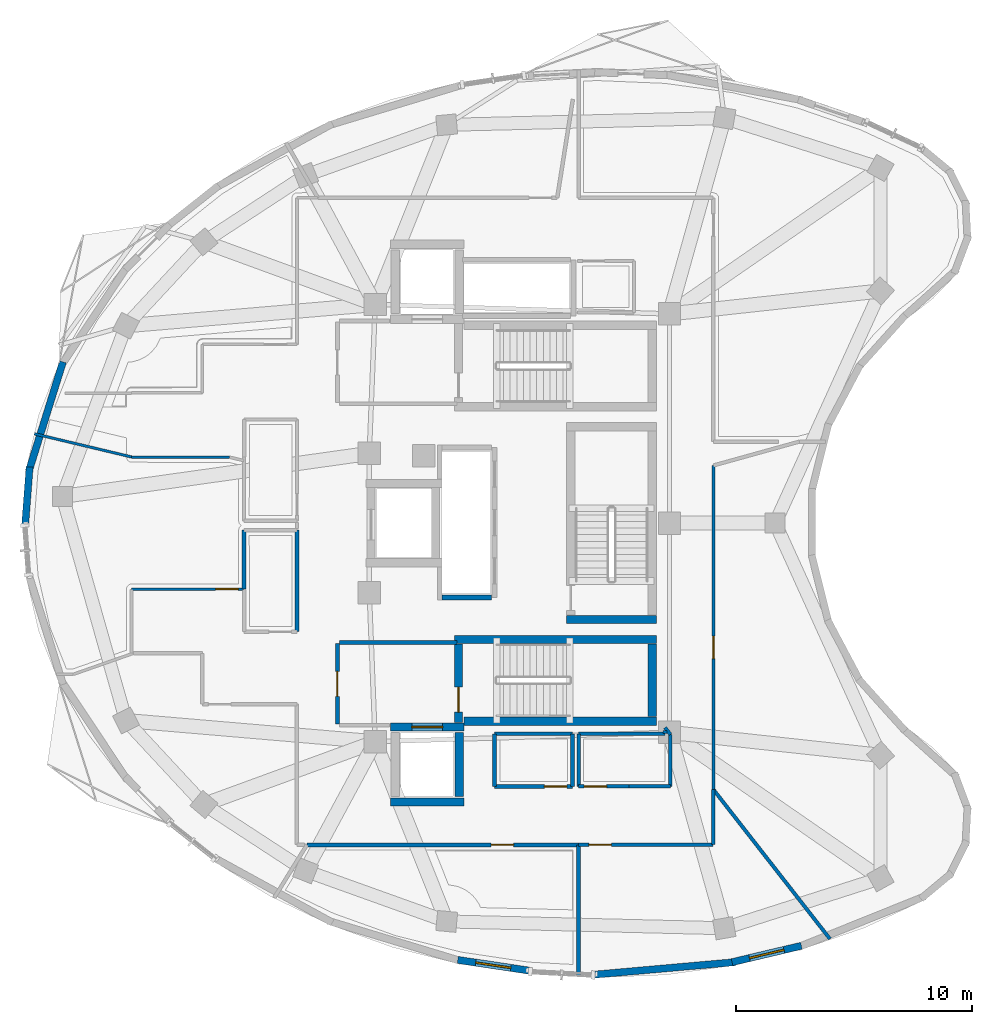
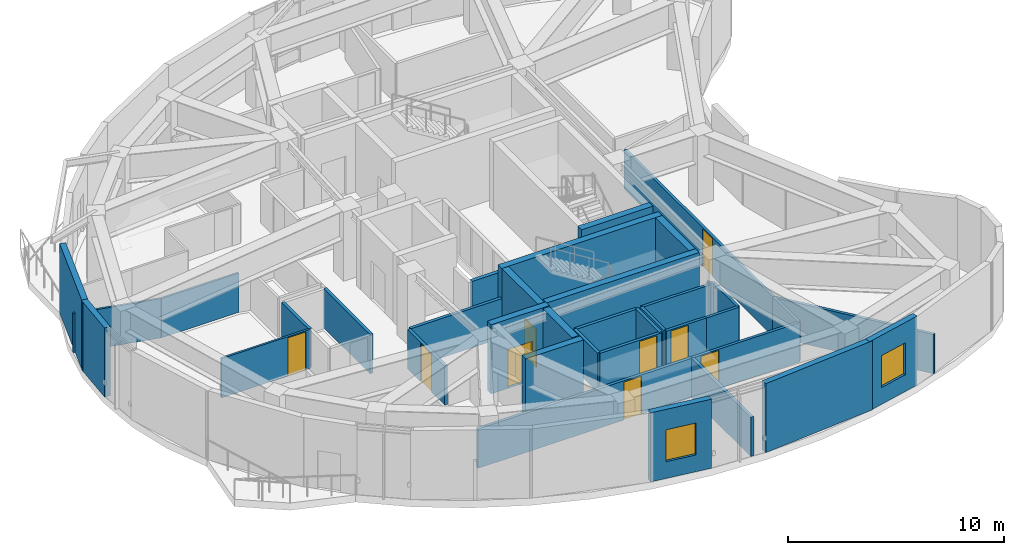
# One storey, part 6 of 12: 38 walls, 9 doors, 2 windows, 11 openings.
"""IFC4 building model written with IfcOpenShell, lengths in metres."""

from ifc_helpers import new_model, si_unit, direction, frame, frame_2d, origin, place, context, subcontext, project, spatial, rectangle, extrude, material, layer, layer_set, type_object, element, fill, save


model = new_model("IFC4")

# Units and contexts
model_context = context("Model", 3, precision=1e-05, world=origin(), true_north=direction((0.0, 1.0)))
body_context = subcontext(model_context, "Body", "Model", "MODEL_VIEW")
ifc_project = project(units=[si_unit("LENGTHUNIT", "METRE"), si_unit("AREAUNIT", "SQUARE_METRE"), si_unit("VOLUMEUNIT", "CUBIC_METRE"), si_unit("PLANEANGLEUNIT", "RADIAN"), si_unit("MASSUNIT", "GRAM", prefix="KILO")], contexts=[model_context])

# Site, building, storey
site_placement = place(None, origin())
site = spatial("IfcSite", under=ifc_project, at=site_placement, CompositionType="ELEMENT")
building_placement = place(site_placement, origin())
building = spatial("IfcBuilding", under=site, at=building_placement, Name="Korentha Bioscience Tower", CompositionType="ELEMENT")
storey_placement = place(building_placement, frame((0.0, 0.0, 286.800048828125)))
storey = spatial("IfcBuildingStorey", under=building, at=storey_placement, Name="L66", CompositionType="ELEMENT", Elevation=286.800048828125)

# Wall, opening, door
ifc_material_1 = material(Name="Double-Stud Acoustic Gypsum", Category="gypsum")
ifc_layer_1 = layer(ifc_material_1, 0.14990234375, Name="Double-Stud Acoustic Gypsum")
ifc_layer_set_1 = layer_set([ifc_layer_1], Name="Double-Stud Acoustic Gypsum (IW-L150)")
wall_type_1 = type_object("IfcWallType", Name="Acoustic Laboratory Partition Wall 150", PredefinedType="PARTITIONING", material=ifc_layer_set_1)
wall_1_placement = place(storey_placement, frame((33.7080078125, 13.389892578125, 0.0), z_axis=(0.0, 0.0, 1.0), x_axis=(1.0, 0.0, 0.0)))
wall_1 = element("IfcWall", 1, at=wall_1_placement, inside=storey, type_object=wall_type_1, Name="L66 Biomechanical Motion Analysis Lab 04 Entrance Wall", PredefinedType="PARTITIONING", context=body_context, shape_type="SweptSolid", body=[
    extrude(rectangle(XDim=5.69189453125, YDim=0.14990234375, at=frame_2d((2.845947265625, 0.0))), origin(), (0.0, 0.0, 1.0), 2.219970703125),
])
opening_1_placement = place(wall_1_placement, frame((0.428955078125, 0.0, 0.0)))
opening_1 = element("IfcOpeningElement", 2, at=opening_1_placement, cuts=wall_1, Name="Opening ID-10R", PredefinedType="OPENING", context=body_context, shape_type="SweptSolid", body=[
    extrude(rectangle(XDim=0.949951171875, YDim=2.14990234375, at=frame_2d((0.47509765625, 1.074951171875))), frame((0.0, 0.08984375, 0.0), z_axis=(0.0, -1.0, 0.0), x_axis=(1.0, 0.0, 0.0)), (0.0, 0.0, 1.0), 0.1796875),
])
ifc_material_2 = material(Name="Phenolic Laminate Timber Core", Category="wood")
door_type_1 = type_object("IfcDoorType", Name="Laboratory Single Leaf Door 950x2150 Right", OperationType="SINGLE_SWING_RIGHT", PredefinedType="DOOR", material=ifc_material_2)
door_1_placement = place(opening_1_placement, origin())
door_1 = element("IfcDoor", 3, at=door_1_placement, inside=storey, type_object=door_type_1, Name="L66 Biomechanical Motion Analysis Lab 04 Door", OperationType="SINGLE_SWING_RIGHT", OverallHeight=2.14990234375, OverallWidth=0.949951171875, PredefinedType="DOOR", context=body_context, shape_type="SweptSolid", body=[
    extrude(rectangle(XDim=0.949951171875, YDim=2.14990234375, at=frame_2d((0.47509765625, 1.074951171875))), frame((0.0, 0.02490234375, 0.0), z_axis=(0.0, -1.0, 0.0), x_axis=(1.0, 0.0, 0.0)), (0.0, 0.0, 1.0), 0.050048828125),
])
fill(opening_1, door_1)

wall_2_placement = place(storey_placement, frame((35.840087890625, 15.860107421875, 0.0), z_axis=(0.0, 0.0, 1.0), x_axis=(-1.0, 0.0, 0.0)))
wall_2 = element("IfcWall", 4, at=wall_2_placement, inside=storey, type_object=wall_type_1, Name="L66 Neurobiology Electrophysiology Lab 05 Entrance Wall", PredefinedType="PARTITIONING", context=body_context, shape_type="SweptSolid", body=[
    extrude(rectangle(XDim=2.13818359375, YDim=0.14990234375, at=frame_2d((1.069091796875, 0.0))), origin(), (0.0, 0.0, 1.0), 2.219970703125),
])
opening_2_placement = place(wall_2_placement, frame((0.947998046875, 0.0, 0.0)))
opening_2 = element("IfcOpeningElement", 5, at=opening_2_placement, cuts=wall_2, Name="Opening ID-10L", PredefinedType="OPENING", context=body_context, shape_type="SweptSolid", body=[
    extrude(rectangle(XDim=0.949951171875, YDim=2.14990234375, at=frame_2d((0.47509765625, 1.074951171875))), frame((0.0, 0.08984375, 0.0), z_axis=(0.0, -1.0, 0.0), x_axis=(1.0, 0.0, 0.0)), (0.0, 0.0, 1.0), 0.1796875),
])
door_type_2 = type_object("IfcDoorType", Name="Laboratory Single Leaf Door 950x2150 Left", OperationType="SINGLE_SWING_LEFT", PredefinedType="DOOR", material=ifc_material_2)
door_2_placement = place(opening_2_placement, origin())
door_2 = element("IfcDoor", 6, at=door_2_placement, inside=storey, type_object=door_type_2, Name="L66 Neurobiology Electrophysiology Lab 05 Door", OperationType="SINGLE_SWING_LEFT", OverallHeight=2.14990234375, OverallWidth=0.949951171875, PredefinedType="DOOR", context=body_context, shape_type="SweptSolid", body=[
    extrude(rectangle(XDim=0.949951171875, YDim=2.14990234375, at=frame_2d((0.47509765625, 1.074951171875))), frame((0.0, 0.02490234375, 0.0), z_axis=(0.0, -1.0, 0.0), x_axis=(1.0, 0.0, 0.0)), (0.0, 0.0, 1.0), 0.050048828125),
])
fill(opening_2, door_2)

# Walls
wall_3_placement = place(storey_placement, frame((39.409912109375, 13.39990234375, 0.0), z_axis=(0.0, 0.0, 1.0), x_axis=(0.0, 1.0, 0.0)))
element("IfcWall", 7, at=wall_3_placement, inside=storey, type_object=wall_type_1, Name="L66 Interior Partition 041", PredefinedType="PARTITIONING", context=body_context, shape_type="SweptSolid", body=[
    extrude(rectangle(XDim=2.32568359375, YDim=0.14990234375, at=frame_2d((1.162841796875, 0.0))), origin(), (0.0, 0.0, 1.0), 2.219970703125),
])
wall_4_placement = place(storey_placement, frame((39.409912109375, 15.7255859375, 0.0), z_axis=(0.0, 0.0, 1.0), x_axis=(0.615180754192, -0.788386098096, 0.0)))
element("IfcWall", 8, at=wall_4_placement, inside=storey, type_object=wall_type_1, Name="L66 Interior Partition 042", PredefinedType="PARTITIONING", context=body_context, shape_type="SweptSolid", body=[
    extrude(rectangle(XDim=8.009033203125, YDim=0.14990234375, at=frame_2d((4.00439453125, 0.0))), origin(), (0.0, 0.0, 1.0), 2.219970703125),
])
wall_5_placement = place(storey_placement, frame((37.590087890625, 18.05810546875, 0.0), z_axis=(0.0, 0.0, 1.0), x_axis=(0.0, -1.0, 0.0)))
element("IfcWall", 9, at=wall_5_placement, inside=storey, type_object=wall_type_1, Name="L66 Interior Partition 043", PredefinedType="PARTITIONING", context=body_context, shape_type="SweptSolid", body=[
    extrude(rectangle(XDim=2.197998046875, YDim=0.14990234375, at=frame_2d((1.09912109375, 0.0))), origin(), (0.0, 0.0, 1.0), 2.219970703125),
])
wall_6_placement = place(storey_placement, frame((37.590087890625, 15.860107421875, 0.0), z_axis=(0.0, 0.0, 1.0), x_axis=(-1.0, 0.0, 0.0)))
element("IfcWall", 10, at=wall_6_placement, inside=storey, type_object=wall_type_1, Name="L66 Interior Partition 044", PredefinedType="PARTITIONING", context=body_context, shape_type="SweptSolid", body=[
    extrude(rectangle(XDim=1.75, YDim=0.14990234375, at=frame_2d((0.875, 0.0))), origin(), (0.0, 0.0, 1.0), 2.219970703125),
])
wall_7_placement = place(storey_placement, frame((33.701904296875, 15.860107421875, 0.0), z_axis=(0.0, 0.0, 1.0), x_axis=(0.0, 1.0, 0.0)))
element("IfcWall", 11, at=wall_7_placement, inside=storey, type_object=wall_type_1, Name="L66 Interior Partition 045", PredefinedType="PARTITIONING", context=body_context, shape_type="SweptSolid", body=[
    extrude(rectangle(XDim=2.22998046875, YDim=0.14990234375, at=frame_2d((1.114990234375, 0.0))), origin(), (0.0, 0.0, 1.0), 2.219970703125),
])
wall_8_placement = place(storey_placement, frame((33.701904296875, 18.090087890625, 0.0), z_axis=(0.0, 0.0, 1.0), x_axis=(1.0, 0.0, 0.0)))
element("IfcWall", 12, at=wall_8_placement, inside=storey, type_object=wall_type_1, Name="L66 Interior Partition 046", PredefinedType="PARTITIONING", context=body_context, shape_type="SweptSolid", body=[
    extrude(rectangle(XDim=3.648193359375, YDim=0.14990234375, at=frame_2d((1.82421875, 0.0))), origin(), (0.0, 0.0, 1.0), 2.219970703125),
])
wall_9_placement = place(storey_placement, frame((37.360107421875, 18.10009765625, 0.0), z_axis=(0.0, 0.0, 1.0), x_axis=(0.0, 1.0, 0.0)))
element("IfcWall", 13, at=wall_9_placement, inside=storey, type_object=wall_type_1, Name="L66 Interior Partition 047", PredefinedType="PARTITIONING", context=body_context, shape_type="SweptSolid", body=[
    extrude(rectangle(XDim=0.1259765625, YDim=0.14990234375, at=frame_2d((0.06298828125, 0.0))), origin(), (0.0, 0.0, 1.0), 2.219970703125),
])
wall_10_placement = place(storey_placement, frame((37.360107421875, 18.352783203125, 0.0), z_axis=(0.0, 0.0, 1.0), x_axis=(0.61525105599, -0.788331236285, 0.0)))
element("IfcWall", 14, at=wall_10_placement, inside=storey, type_object=wall_type_1, Name="L66 Interior Partition 048", PredefinedType="PARTITIONING", context=body_context, shape_type="SweptSolid", body=[
    extrude(rectangle(XDim=0.373779296875, YDim=0.14990234375, at=frame_2d((0.18701171875, 0.0))), origin(), (0.0, 0.0, 1.0), 2.219970703125),
])

# Wall, opening, door
ifc_material_3 = material(Name="Insulated Aluminium Honeycomb Panel", Category="aluminium")
ifc_layer_2 = layer(ifc_material_3, 0.139892578125, Name="Insulated Aluminium Honeycomb Panel")
ifc_layer_set_2 = layer_set([ifc_layer_2], Name="Insulated Aluminium Honeycomb Panel (IW-F60)")
wall_type_2 = type_object("IfcWallType", Name="Cleanroom Flush Metal Panel Partition 140", PredefinedType="PARTITIONING", material=ifc_layer_set_2)
wall_11_placement = place(storey_placement, frame((39.409912109375, 15.735595703125, 0.0), z_axis=(0.0, 0.0, 1.0), x_axis=(0.0, 1.0, 0.0)))
wall_11 = element("IfcWall", 15, at=wall_11_placement, inside=storey, type_object=wall_type_2, Name="L66 Stem-Cell Differentiation Cleanroom 06 Entrance Wall", PredefinedType="PARTITIONING", context=body_context, shape_type="SweptSolid", body=[
    extrude(rectangle(XDim=13.704345703125, YDim=0.139892578125, at=frame_2d((6.85205078125, 0.0))), origin(), (0.0, 0.0, 1.0), 2.219970703125),
])
opening_3_placement = place(wall_11_placement, frame((5.53271484375, 0.0, 0.0)))
opening_3 = element("IfcOpeningElement", 16, at=opening_3_placement, cuts=wall_11, Name="Opening ID-10R", PredefinedType="OPENING", context=body_context, shape_type="SweptSolid", body=[
    extrude(rectangle(XDim=0.949951171875, YDim=2.14990234375, at=frame_2d((0.47509765625, 1.074951171875))), frame((0.0, 0.0849609375, 0.0), z_axis=(0.0, -1.0, 0.0), x_axis=(1.0, 0.0, 0.0)), (0.0, 0.0, 1.0), 0.169677734375),
])
door_3_placement = place(opening_3_placement, origin())
door_3 = element("IfcDoor", 17, at=door_3_placement, inside=storey, type_object=door_type_1, Name="L66 Stem-Cell Differentiation Cleanroom 06 Door", OperationType="SINGLE_SWING_RIGHT", OverallHeight=2.14990234375, OverallWidth=0.949951171875, PredefinedType="DOOR", context=body_context, shape_type="SweptSolid", body=[
    extrude(rectangle(XDim=0.949951171875, YDim=2.14990234375, at=frame_2d((0.47509765625, 1.074951171875))), frame((0.0, 0.02490234375, 0.0), z_axis=(0.0, -1.0, 0.0), x_axis=(1.0, 0.0, 0.0)), (0.0, 0.0, 1.0), 0.050048828125),
])
fill(opening_3, door_3)

ifc_material_4 = material(Name="Fire-Rated Framed Glass", Category="glass")
ifc_layer_3 = layer(ifc_material_4, 0.110107421875, Name="Fire-Rated Framed Glass")
ifc_layer_set_3 = layer_set([ifc_layer_3], Name="Fire-Rated Framed Glass (IW-G110)")
wall_type_3 = type_object("IfcWallType", Name="Demountable Glazed Office Partition 110", PredefinedType="MOVABLE", material=ifc_layer_set_3)
wall_12_placement = place(storey_placement, frame((19.5400390625, 24.2099609375, 0.0), z_axis=(0.0, 0.0, 1.0), x_axis=(-1.0, 0.0, 0.0)))
wall_12 = element("IfcWall", 18, at=wall_12_placement, inside=storey, type_object=wall_type_3, Name="L66 Research Colloquium Seminar Room 01 Entrance Wall", PredefinedType="MOVABLE", context=body_context, shape_type="SweptSolid", body=[
    extrude(rectangle(XDim=4.739990234375, YDim=0.110107421875, at=frame_2d((2.3701171875, 0.0))), origin(), (0.0, 0.0, 1.0), 2.219970703125),
])
opening_4_placement = place(wall_12_placement, frame((0.239990234375, 0.0, 0.0)))
opening_4 = element("IfcOpeningElement", 19, at=opening_4_placement, cuts=wall_12, Name="Opening ID-10L", PredefinedType="OPENING", context=body_context, shape_type="SweptSolid", body=[
    extrude(rectangle(XDim=0.949951171875, YDim=2.14990234375, at=frame_2d((0.47509765625, 1.074951171875))), frame((0.0, 0.06982421875, 0.0), z_axis=(0.0, -1.0, 0.0), x_axis=(1.0, 0.0, 0.0)), (0.0, 0.0, 1.0), 0.139892578125),
])
door_4_placement = place(opening_4_placement, origin())
door_4 = element("IfcDoor", 20, at=door_4_placement, inside=storey, type_object=door_type_2, Name="L66 Research Colloquium Seminar Room 01 Door", OperationType="SINGLE_SWING_LEFT", OverallHeight=2.14990234375, OverallWidth=0.949951171875, PredefinedType="DOOR", context=body_context, shape_type="SweptSolid", body=[
    extrude(rectangle(XDim=0.949951171875, YDim=2.14990234375, at=frame_2d((0.47509765625, 1.074951171875))), frame((0.0, 0.02490234375, 0.0), z_axis=(0.0, -1.0, 0.0), x_axis=(1.0, 0.0, 0.0)), (0.0, 0.0, 1.0), 0.050048828125),
])
fill(opening_4, door_4)

# Walls
wall_13_placement = place(storey_placement, frame((10.677001953125, 30.781494140625, 0.0), z_axis=(0.0, 0.0, 1.0), x_axis=(0.972691489336, -0.232101845262, 0.0)))
element("IfcWall", 21, at=wall_13_placement, inside=storey, type_object=wall_type_3, Name="L66 Interior Partition 027", PredefinedType="MOVABLE", context=body_context, shape_type="SweptSolid", body=[
    extrude(rectangle(XDim=4.228515625, YDim=0.110107421875, at=frame_2d((2.1142578125, 0.0))), origin(), (0.0, 0.0, 1.0), 2.219970703125),
])
wall_14_placement = place(storey_placement, frame((14.800048828125, 29.7900390625, 0.0), z_axis=(0.0, 0.0, 1.0), x_axis=(1.0, 0.0, 0.0)))
element("IfcWall", 22, at=wall_14_placement, inside=storey, type_object=wall_type_3, Name="L66 Interior Partition 029", PredefinedType="MOVABLE", context=body_context, shape_type="SweptSolid", body=[
    extrude(rectangle(XDim=4.13671875, YDim=0.110107421875, at=frame_2d((2.068359375, 0.0))), origin(), (0.0, 0.0, 1.0), 2.219970703125),
])

# Wall, opening, door
ifc_material_5 = material(Name="Gypsum-Clad Steel Stud", Category="steel")
ifc_layer_4 = layer(ifc_material_5, 0.159912109375, Name="Gypsum-Clad Steel Stud")
ifc_layer_set_4 = layer_set([ifc_layer_4], Name="Gypsum-Clad Steel Stud (IW-C160)")
wall_type_4 = type_object("IfcWallType", Name="Fire-Rated Corridor Partition Wall 160", PredefinedType="PARTITIONING", material=ifc_layer_set_4)
wall_15_placement = place(storey_placement, frame((23.5, 18.5, 0.0), z_axis=(0.0, 0.0, 1.0), x_axis=(0.0, 1.0, 0.0)))
wall_15 = element("IfcWall", 23, at=wall_15_placement, inside=storey, type_object=wall_type_4, Name="L66 FFLS-CW Rated Enclosure Wall", PredefinedType="PARTITIONING", context=body_context, shape_type="SweptSolid", body=[
    extrude(rectangle(XDim=3.39990234375, YDim=0.159912109375, at=frame_2d((1.699951171875, 0.0))), origin(), (0.0, 0.0, 1.0), 2.219970703125),
])
opening_5_placement = place(wall_15_placement, frame((1.175048828125, 0.0, 0.0)))
opening_5 = element("IfcOpeningElement", 24, at=opening_5_placement, cuts=wall_15, Name="Opening FD-90L", PredefinedType="OPENING", context=body_context, shape_type="SweptSolid", body=[
    extrude(rectangle(XDim=1.050048828125, YDim=2.14990234375, at=frame_2d((0.52490234375, 1.074951171875))), frame((0.0, 0.0947265625, 0.0), z_axis=(0.0, -1.0, 0.0), x_axis=(1.0, 0.0, 0.0)), (0.0, 0.0, 1.0), 0.189697265625),
])
ifc_material_6 = material(Name="Powder-Coated Fire-Rated Steel", Category="steel")
door_type_3 = type_object("IfcDoorType", Name="Stairwell Fire Exit Door 1050x2150 Left", OperationType="SINGLE_SWING_LEFT", PredefinedType="DOOR", material=ifc_material_6)
door_5_placement = place(opening_5_placement, origin())
door_5 = element("IfcDoor", 25, at=door_5_placement, inside=storey, type_object=door_type_3, Name="L66 South Firefighting Lobby Door", OperationType="SINGLE_SWING_LEFT", OverallHeight=2.14990234375, OverallWidth=1.050048828125, PredefinedType="DOOR", context=body_context, shape_type="SweptSolid", body=[
    extrude(rectangle(XDim=1.050048828125, YDim=2.14990234375, at=frame_2d((0.52490234375, 1.074951171875))), frame((0.0, 0.02490234375, 0.0), z_axis=(0.0, -1.0, 0.0), x_axis=(1.0, 0.0, 0.0)), (0.0, 0.0, 1.0), 0.050048828125),
])
fill(opening_5, door_5)

# Wall
wall_16_placement = place(storey_placement, frame((23.580078125, 21.949951171875, 0.0), z_axis=(0.0, 0.0, 1.0), x_axis=(1.0, 0.0, 0.0)))
element("IfcWall", 26, at=wall_16_placement, inside=storey, type_object=wall_type_4, Name="L66 Firefighting Lobby Return Wall FFLS-N", PredefinedType="PARTITIONING", context=body_context, shape_type="SweptSolid", body=[
    extrude(rectangle(XDim=4.969970703125, YDim=0.159912109375, at=frame_2d((2.48486328125, 0.0))), origin(), (0.0, 0.0, 1.0), 2.219970703125),
])

# Wall, opening, door
wall_17_placement = place(storey_placement, frame((33.449951171875, 15.860107421875, 0.0), z_axis=(0.0, 0.0, 1.0), x_axis=(-1.0, 0.0, 0.0)))
wall_17 = element("IfcWall", 27, at=wall_17_placement, inside=storey, type_object=wall_type_4, Name="L66 Core Instrumentation and Gas Store Entrance Wall", PredefinedType="PARTITIONING", context=body_context, shape_type="SweptSolid", body=[
    extrude(rectangle(XDim=3.300048828125, YDim=0.159912109375, at=frame_2d((1.64990234375, 0.0))), origin(), (0.0, 0.0, 1.0), 2.219970703125),
])
opening_6_placement = place(wall_17_placement, frame((0.239990234375, 0.0, 0.0)))
opening_6 = element("IfcOpeningElement", 28, at=opening_6_placement, cuts=wall_17, Name="Opening ID-10L", PredefinedType="OPENING", context=body_context, shape_type="SweptSolid", body=[
    extrude(rectangle(XDim=0.949951171875, YDim=2.14990234375, at=frame_2d((0.47509765625, 1.074951171875))), frame((0.0, 0.0947265625, 0.0), z_axis=(0.0, -1.0, 0.0), x_axis=(1.0, 0.0, 0.0)), (0.0, 0.0, 1.0), 0.189697265625),
])
door_6_placement = place(opening_6_placement, origin())
door_6 = element("IfcDoor", 29, at=door_6_placement, inside=storey, type_object=door_type_2, Name="L66 Core Instrumentation and Gas Store Door", OperationType="SINGLE_SWING_LEFT", OverallHeight=2.14990234375, OverallWidth=0.949951171875, PredefinedType="DOOR", context=body_context, shape_type="SweptSolid", body=[
    extrude(rectangle(XDim=0.949951171875, YDim=2.14990234375, at=frame_2d((0.47509765625, 1.074951171875))), frame((0.0, 0.02490234375, 0.0), z_axis=(0.0, -1.0, 0.0), x_axis=(1.0, 0.0, 0.0)), (0.0, 0.0, 1.0), 0.050048828125),
])
fill(opening_6, door_6)

wall_18_placement = place(storey_placement, frame((22.220458984375, 13.389892578125, 0.0), z_axis=(0.0, 0.0, 1.0), x_axis=(1.0, 0.0, 0.0)))
wall_18 = element("IfcWall", 30, at=wall_18_placement, inside=storey, type_object=wall_type_4, Name="L66 Biospecimen Archive Store 03 Entrance Wall", PredefinedType="PARTITIONING", context=body_context, shape_type="SweptSolid", body=[
    extrude(rectangle(XDim=11.4775390625, YDim=0.159912109375, at=frame_2d((5.73876953125, 0.0))), origin(), (0.0, 0.0, 1.0), 2.219970703125),
])
opening_7_placement = place(wall_18_placement, frame((7.785888671875, 0.0, 0.0)))
opening_7 = element("IfcOpeningElement", 31, at=opening_7_placement, cuts=wall_18, Name="Opening ID-10L", PredefinedType="OPENING", context=body_context, shape_type="SweptSolid", body=[
    extrude(rectangle(XDim=0.949951171875, YDim=2.14990234375, at=frame_2d((0.47509765625, 1.074951171875))), frame((0.0, 0.0947265625, 0.0), z_axis=(0.0, -1.0, 0.0), x_axis=(1.0, 0.0, 0.0)), (0.0, 0.0, 1.0), 0.189697265625),
])
door_7_placement = place(opening_7_placement, origin())
door_7 = element("IfcDoor", 32, at=door_7_placement, inside=storey, type_object=door_type_2, Name="L66 Biospecimen Archive Store 03 Door", OperationType="SINGLE_SWING_LEFT", OverallHeight=2.14990234375, OverallWidth=0.949951171875, PredefinedType="DOOR", context=body_context, shape_type="SweptSolid", body=[
    extrude(rectangle(XDim=0.949951171875, YDim=2.14990234375, at=frame_2d((0.47509765625, 1.074951171875))), frame((0.0, 0.02490234375, 0.0), z_axis=(0.0, -1.0, 0.0), x_axis=(1.0, 0.0, 0.0)), (0.0, 0.0, 1.0), 0.050048828125),
])
fill(opening_7, door_7)

# Walls
wall_19_placement = place(storey_placement, frame((30.14990234375, 15.860107421875, 0.0), z_axis=(0.0, 0.0, 1.0), x_axis=(0.0, 1.0, 0.0)))
element("IfcWall", 33, at=wall_19_placement, inside=storey, type_object=wall_type_4, Name="L66 Interior Partition 014", PredefinedType="PARTITIONING", context=body_context, shape_type="SweptSolid", body=[
    extrude(rectangle(XDim=2.22998046875, YDim=0.159912109375, at=frame_2d((1.114990234375, 0.0))), origin(), (0.0, 0.0, 1.0), 2.219970703125),
])
wall_20_placement = place(storey_placement, frame((30.14990234375, 18.090087890625, 0.0), z_axis=(0.0, 0.0, 1.0), x_axis=(1.0, 0.0, 0.0)))
element("IfcWall", 34, at=wall_20_placement, inside=storey, type_object=wall_type_4, Name="L66 Interior Partition 015", PredefinedType="PARTITIONING", context=body_context, shape_type="SweptSolid", body=[
    extrude(rectangle(XDim=3.300048828125, YDim=0.159912109375, at=frame_2d((1.64990234375, 0.0))), origin(), (0.0, 0.0, 1.0), 2.219970703125),
])
wall_21_placement = place(storey_placement, frame((33.449951171875, 18.090087890625, 0.0), z_axis=(0.0, 0.0, 1.0), x_axis=(0.0, -1.0, 0.0)))
element("IfcWall", 35, at=wall_21_placement, inside=storey, type_object=wall_type_4, Name="L66 Interior Partition 016", PredefinedType="PARTITIONING", context=body_context, shape_type="SweptSolid", body=[
    extrude(rectangle(XDim=2.22998046875, YDim=0.159912109375, at=frame_2d((1.114990234375, 0.0))), origin(), (0.0, 0.0, 1.0), 2.219970703125),
])
wall_22_placement = place(storey_placement, frame((21.7900390625, 26.699951171875, 0.0), z_axis=(0.0, 0.0, 1.0), x_axis=(0.0, -1.0, 0.0)))
element("IfcWall", 36, at=wall_22_placement, inside=storey, type_object=wall_type_4, Name="L66 Interior Partition 019", PredefinedType="PARTITIONING", context=body_context, shape_type="SweptSolid", body=[
    extrude(rectangle(XDim=4.2900390625, YDim=0.159912109375, at=frame_2d((2.14501953125, 0.0))), origin(), (0.0, 0.0, 1.0), 2.219970703125),
])
wall_23_placement = place(storey_placement, frame((19.550048828125, 24.2099609375, 0.0), z_axis=(0.0, 0.0, 1.0), x_axis=(0.0, 1.0, 0.0)))
element("IfcWall", 37, at=wall_23_placement, inside=storey, type_object=wall_type_4, Name="L66 Interior Partition 021", PredefinedType="PARTITIONING", context=body_context, shape_type="SweptSolid", body=[
    extrude(rectangle(XDim=2.489990234375, YDim=0.159912109375, at=frame_2d((1.2451171875, 0.0))), origin(), (0.0, 0.0, 1.0), 2.219970703125),
])
wall_24_placement = place(storey_placement, frame((33.697998046875, 13.389892578125, 0.0), z_axis=(0.0, 0.0, 1.0), x_axis=(0.0, -1.0, 0.0)))
element("IfcWall", 38, at=wall_24_placement, inside=storey, type_object=wall_type_4, Name="L66 Interior Partition 040", PredefinedType="PARTITIONING", context=body_context, shape_type="SweptSolid", body=[
    extrude(rectangle(XDim=5.5625, YDim=0.159912109375, at=frame_2d((2.78125, 0.0))), origin(), (0.0, 0.0, 1.0), 2.219970703125),
])

# Wall, opening, window
ifc_material_7 = material(Name="Honed Limestone Precast Concrete C40", Category="masonry")
ifc_layer_5 = layer(ifc_material_7, 0.300048828125, Name="Honed Limestone Precast Concrete C40")
ifc_layer_set_5 = layer_set([ifc_layer_5], Name="Honed Limestone Precast Concrete C40 (EW-ST300)")
wall_type_5 = type_object("IfcWallType", Name="Honed Limestone Cavity Spandrel Wall 300", PredefinedType="STANDARD", material=ifc_layer_set_5)
wall_25_placement = place(storey_placement, frame((28.592529296875, 8.522705078125, 0.0), z_axis=(0.0, 0.0, 1.0), x_axis=(0.988992197506, -0.147967676446, 0.0)))
wall_25 = element("IfcWall", 39, at=wall_25_placement, inside=storey, type_object=wall_type_5, Name="L66 Honed Limestone Spandrel Wall 30", PredefinedType="STANDARD", context=body_context, shape_type="SweptSolid", body=[
    extrude(rectangle(XDim=3.04248046875, YDim=0.300048828125, at=frame_2d((1.521240234375, 0.0))), origin(), (0.0, 0.0, 1.0), 3.89990234375),
])
opening_8_placement = place(wall_25_placement, frame((0.771240234375, 0.0, 0.949951171875)))
opening_8 = element("IfcOpeningElement", 40, at=opening_8_placement, cuts=wall_25, Name="Opening WN-02", PredefinedType="OPENING", context=body_context, shape_type="SweptSolid", body=[
    extrude(rectangle(XDim=1.5, YDim=1.800048828125, at=frame_2d((0.75, 0.89990234375))), frame((0.0, 0.1650390625, 0.0), z_axis=(0.0, -1.0, 0.0), x_axis=(1.0, 0.0, 0.0)), (0.0, 0.0, 1.0), 0.329833984375),
])
ifc_material_8 = material(Name="Thermally Broken Aluminium Triple Glazing", Category="aluminium")
window_type = type_object("IfcWindowType", Name="Acoustic Operable Office Window 1500x1800", PartitioningType="DOUBLE_PANEL_VERTICAL", PredefinedType="WINDOW", material=ifc_material_8)
window_1_placement = place(opening_8_placement, origin())
window_1 = element("IfcWindow", 41, at=window_1_placement, inside=storey, type_object=window_type, Name="L66 Facade Window 30", OverallHeight=1.800048828125, OverallWidth=1.5, PartitioningType="DOUBLE_PANEL_VERTICAL", PredefinedType="WINDOW", context=body_context, shape_type="SweptSolid", body=[
    extrude(rectangle(XDim=1.5, YDim=1.800048828125, at=frame_2d((0.75, 0.89990234375))), frame((0.0, 0.030029296875, 0.0), z_axis=(0.0, -1.0, 0.0), x_axis=(1.0, 0.0, 0.0)), (0.0, 0.0, 1.0), 0.06005859375),
])
fill(opening_8, window_1)

wall_26_placement = place(storey_placement, frame((40.195556640625, 8.426513671875, 0.0), z_axis=(0.0, 0.0, 1.0), x_axis=(0.9731008332, 0.230379618079, 0.0)))
wall_26 = element("IfcWall", 42, at=wall_26_placement, inside=storey, type_object=wall_type_5, Name="L66 Honed Limestone Spandrel Wall 34", PredefinedType="STANDARD", context=body_context, shape_type="SweptSolid", body=[
    extrude(rectangle(XDim=3.014892578125, YDim=0.300048828125, at=frame_2d((1.50732421875, 0.0))), origin(), (0.0, 0.0, 1.0), 3.89990234375),
])
opening_9_placement = place(wall_26_placement, frame((0.757568359375, 0.0, 0.949951171875)))
opening_9 = element("IfcOpeningElement", 43, at=opening_9_placement, cuts=wall_26, Name="Opening WN-02", PredefinedType="OPENING", context=body_context, shape_type="SweptSolid", body=[
    extrude(rectangle(XDim=1.5, YDim=1.800048828125, at=frame_2d((0.75, 0.89990234375))), frame((0.0, 0.1650390625, 0.0), z_axis=(0.0, -1.0, 0.0), x_axis=(1.0, 0.0, 0.0)), (0.0, 0.0, 1.0), 0.329833984375),
])
window_2_placement = place(opening_9_placement, origin())
window_2 = element("IfcWindow", 44, at=window_2_placement, inside=storey, type_object=window_type, Name="L66 Facade Window 34", OverallHeight=1.800048828125, OverallWidth=1.5, PartitioningType="DOUBLE_PANEL_VERTICAL", PredefinedType="WINDOW", context=body_context, shape_type="SweptSolid", body=[
    extrude(rectangle(XDim=1.5, YDim=1.800048828125, at=frame_2d((0.75, 0.89990234375))), frame((0.0, 0.030029296875, 0.0), z_axis=(0.0, -1.0, 0.0), x_axis=(1.0, 0.0, 0.0)), (0.0, 0.0, 1.0), 0.06005859375),
])
fill(opening_9, window_2)

# Walls
wall_27_placement = place(storey_placement, frame((11.89111328125, 33.822998046875, 0.0), z_axis=(0.0, 0.0, 1.0), x_axis=(-0.297974306034, -0.954573890772, 0.0)))
element("IfcWall", 45, at=wall_27_placement, inside=storey, type_object=wall_type_5, Name="L66 Limestone Perimeter Closure Wall 16", PredefinedType="STANDARD", context=body_context, shape_type="SweptSolid", body=[
    extrude(rectangle(XDim=4.8544921875, YDim=0.300048828125, at=frame_2d((2.42724609375, 0.0))), origin(), (0.0, 0.0, 1.0), 3.89990234375),
])
wall_28_placement = place(storey_placement, frame((10.48046875, 29.376220703125, 0.0), z_axis=(0.0, 0.0, 1.0), x_axis=(-0.076379552952, -0.997078815285, 0.0)))
element("IfcWall", 46, at=wall_28_placement, inside=storey, type_object=wall_type_5, Name="L66 Limestone Perimeter Closure Wall 18", PredefinedType="STANDARD", context=body_context, shape_type="SweptSolid", body=[
    extrude(rectangle(XDim=2.47412109375, YDim=0.300048828125, at=frame_2d((1.237060546875, 0.0))), origin(), (0.0, 0.0, 1.0), 3.89990234375),
])
wall_29_placement = place(storey_placement, frame((34.362060546875, 7.89892578125, 0.0), z_axis=(0.0, 0.0, 1.0), x_axis=(0.99608733171, 0.088374360578, 0.0)))
element("IfcWall", 47, at=wall_29_placement, inside=storey, type_object=wall_type_5, Name="L66 Limestone Perimeter Closure Wall 32", PredefinedType="STANDARD", context=body_context, shape_type="SweptSolid", body=[
    extrude(rectangle(XDim=6.01953125, YDim=0.300048828125, at=frame_2d((3.009765625, 0.0))), origin(), (0.0, 0.0, 1.0), 3.89990234375),
])
ifc_material_9 = material(Name="Autoclaved Aerated Concrete Block C25", Category="concrete")
ifc_layer_6 = layer(ifc_material_9, 0.199951171875, Name="Autoclaved Aerated Concrete Block C25")
ifc_layer_set_6 = layer_set([ifc_layer_6], Name="Autoclaved Aerated Concrete Block C25 (IW-S200)")
wall_type_6 = type_object("IfcWallType", Name="Lift and Riser Shaft Enclosure Wall 200", PredefinedType="PARTITIONING", material=ifc_layer_set_6)
wall_30_placement = place(storey_placement, frame((27.93408203125, 23.85009765625, 0.0), z_axis=(0.0, 0.0, 1.0), x_axis=(1.0, 0.0, 0.0)))
element("IfcWall", 48, at=wall_30_placement, inside=storey, type_object=wall_type_6, Name="L66 Lift Bank HIGH Shaft Wall -Y", PredefinedType="PARTITIONING", context=body_context, shape_type="SweptSolid", body=[
    extrude(rectangle(XDim=2.095947265625, YDim=0.199951171875, at=frame_2d((1.0478515625, 0.0))), origin(), (0.0, 0.0, 1.0), 2.219970703125),
])
ifc_material_10 = material(Name="Concrete C50", Category="concrete")
ifc_layer_7 = layer(ifc_material_10, 0.35009765625, Name="Concrete C50")
ifc_layer_set_7 = layer_set([ifc_layer_7], Name="Concrete C50 (CW-C50)")
wall_type_7 = type_object("IfcWallType", Name="Upper Core Shear Wall 350", PredefinedType="SHEAR", material=ifc_layer_set_7)
wall_31_placement = place(storey_placement, frame((28.85205078125, 18.625, 0.0), z_axis=(0.0, 0.0, 1.0), x_axis=(1.0, 0.0, 0.0)))
element("IfcWall", 49, at=wall_31_placement, inside=storey, type_object=wall_type_7, Name="L66 Core Shear Wall ST2-S", PredefinedType="SHEAR", context=body_context, shape_type="SweptSolid", body=[
    extrude(rectangle(XDim=8.14794921875, YDim=0.35009765625, at=frame_2d((4.073974609375, 0.0))), origin(), (0.0, 0.0, 1.0), 3.89990234375),
])
wall_32_placement = place(storey_placement, frame((28.449951171875, 22.074951171875, 0.0), z_axis=(0.0, 0.0, 1.0), x_axis=(1.0, 0.0, 0.0)))
element("IfcWall", 50, at=wall_32_placement, inside=storey, type_object=wall_type_7, Name="L66 Core Shear Wall ST2-N", PredefinedType="SHEAR", context=body_context, shape_type="SweptSolid", body=[
    extrude(rectangle(XDim=8.550048828125, YDim=0.35009765625, at=frame_2d((4.27490234375, 0.0))), origin(), (0.0, 0.0, 1.0), 3.89990234375),
])
wall_33_placement = place(storey_placement, frame((36.824951171875, 18.81005859375, 0.0), z_axis=(0.0, 0.0, 1.0), x_axis=(0.0, 1.0, 0.0)))
element("IfcWall", 51, at=wall_33_placement, inside=storey, type_object=wall_type_7, Name="L66 Core Shear Wall ST2-E", PredefinedType="SHEAR", context=body_context, shape_type="SweptSolid", body=[
    extrude(rectangle(XDim=3.079833984375, YDim=0.35009765625, at=frame_2d((1.5400390625, 0.0))), origin(), (0.0, 0.0, 1.0), 3.89990234375),
])

# Wall, opening, door
wall_34_placement = place(storey_placement, frame((28.625, 18.556884765625, 0.0), z_axis=(0.0, 0.0, 1.0), x_axis=(0.0, 1.0, 0.0)))
wall_34 = element("IfcWall", 52, at=wall_34_placement, inside=storey, type_object=wall_type_7, Name="L66 Core Shear Wall ST2-W", PredefinedType="SHEAR", context=body_context, shape_type="SweptSolid", body=[
    extrude(rectangle(XDim=3.3330078125, YDim=0.35009765625, at=frame_2d((1.66650390625, 0.0))), origin(), (0.0, 0.0, 1.0), 3.89990234375),
])
opening_10_placement = place(wall_34_placement, frame((0.452880859375, 0.0, 0.0)))
opening_10 = element("IfcOpeningElement", 53, at=opening_10_placement, cuts=wall_34, Name="Opening FD-90L", PredefinedType="OPENING", context=body_context, shape_type="SweptSolid", body=[
    extrude(rectangle(XDim=1.050048828125, YDim=2.14990234375, at=frame_2d((0.52490234375, 1.074951171875))), frame((0.0, 0.18994140625, 0.0), z_axis=(0.0, -1.0, 0.0), x_axis=(1.0, 0.0, 0.0)), (0.0, 0.0, 1.0), 0.3798828125),
])
door_8_placement = place(opening_10_placement, origin())
door_8 = element("IfcDoor", 54, at=door_8_placement, inside=storey, type_object=door_type_3, Name="L66 ST-2 Fire Exit Stair Door", OperationType="SINGLE_SWING_LEFT", OverallHeight=2.14990234375, OverallWidth=1.050048828125, PredefinedType="DOOR", context=body_context, shape_type="SweptSolid", body=[
    extrude(rectangle(XDim=1.050048828125, YDim=2.14990234375, at=frame_2d((0.52490234375, 1.074951171875))), frame((0.0, 0.02490234375, 0.0), z_axis=(0.0, -1.0, 0.0), x_axis=(1.0, 0.0, 0.0)), (0.0, 0.0, 1.0), 0.050048828125),
])
fill(opening_10, door_8)

# Walls
wall_35_placement = place(storey_placement, frame((33.199951171875, 22.925048828125, 0.0), z_axis=(0.0, 0.0, 1.0), x_axis=(1.0, 0.0, 0.0)))
element("IfcWall", 55, at=wall_35_placement, inside=storey, type_object=wall_type_7, Name="L66 Core Shear Wall ST3-S", PredefinedType="SHEAR", context=body_context, shape_type="SweptSolid", body=[
    extrude(rectangle(XDim=3.800048828125, YDim=0.35009765625, at=frame_2d((1.89990234375, 0.0))), origin(), (0.0, 0.0, 1.0), 3.89990234375),
])
wall_36_placement = place(storey_placement, frame((25.75, 15.199951171875, 0.0), z_axis=(0.0, 0.0, 1.0), x_axis=(1.0, 0.0, 0.0)))
element("IfcWall", 56, at=wall_36_placement, inside=storey, type_object=wall_type_7, Name="L66 Core Shear Wall FFL1-S", PredefinedType="SHEAR", context=body_context, shape_type="SweptSolid", body=[
    extrude(rectangle(XDim=3.10009765625, YDim=0.35009765625, at=frame_2d((1.550048828125, 0.0))), origin(), (0.0, 0.0, 1.0), 3.89990234375),
])

# Wall, opening, door
wall_37_placement = place(storey_placement, frame((25.75, 18.3798828125, 0.0), z_axis=(0.0, 0.0, 1.0), x_axis=(1.0, 0.0, 0.0)))
wall_37 = element("IfcWall", 57, at=wall_37_placement, inside=storey, type_object=wall_type_7, Name="L66 Core Shear Wall FFL1-N", PredefinedType="SHEAR", context=body_context, shape_type="SweptSolid", body=[
    extrude(rectangle(XDim=3.10009765625, YDim=0.35009765625, at=frame_2d((1.550048828125, 0.0))), origin(), (0.0, 0.0, 1.0), 3.89990234375),
])
opening_11_placement = place(wall_37_placement, frame((0.89990234375, 0.0, 0.0)))
opening_11 = element("IfcOpeningElement", 58, at=opening_11_placement, cuts=wall_37, Name="Opening LD-13", PredefinedType="OPENING", context=body_context, shape_type="SweptSolid", body=[
    extrude(rectangle(XDim=1.300048828125, YDim=2.199951171875, at=frame_2d((0.64990234375, 1.10009765625))), frame((0.0, 0.18994140625, 0.0), z_axis=(0.0, -1.0, 0.0), x_axis=(1.0, 0.0, 0.0)), (0.0, 0.0, 1.0), 0.3798828125),
])
ifc_material_11 = material(Name="Brushed Stainless Steel 316", Category="steel")
door_type_4 = type_object("IfcDoorType", Name="Service & Firefighting Lift Landing Door 1300x2300", OperationType="DOUBLE_DOOR_SLIDING", PredefinedType="DOOR", material=ifc_material_11)
door_9_placement = place(opening_11_placement, origin())
door_9 = element("IfcDoor", 59, at=door_9_placement, inside=storey, type_object=door_type_4, Name="L66 FFL-1 Sliding Lift Landing Door", OperationType="DOUBLE_DOOR_SLIDING", OverallHeight=2.199951171875, OverallWidth=1.300048828125, PredefinedType="DOOR", context=body_context, shape_type="SweptSolid", body=[
    extrude(rectangle(XDim=1.300048828125, YDim=2.199951171875, at=frame_2d((0.64990234375, 1.10009765625))), frame((0.0, 0.02490234375, 0.0), z_axis=(0.0, -1.0, 0.0), x_axis=(1.0, 0.0, 0.0)), (0.0, 0.0, 1.0), 0.050048828125),
])
fill(opening_11, door_9)

# Wall
wall_38_placement = place(storey_placement, frame((28.64990234375, 15.43994140625, 0.0), z_axis=(0.0, 0.0, 1.0), x_axis=(0.0, 1.0, 0.0)))
element("IfcWall", 60, at=wall_38_placement, inside=storey, type_object=wall_type_7, Name="L66 Core Shear Wall FFL1-E", PredefinedType="SHEAR", context=body_context, shape_type="SweptSolid", body=[
    extrude(rectangle(XDim=2.699951171875, YDim=0.35009765625, at=frame_2d((1.35009765625, 0.0))), origin(), (0.0, 0.0, 1.0), 3.89990234375),
])

save(model, "model.ifc")
